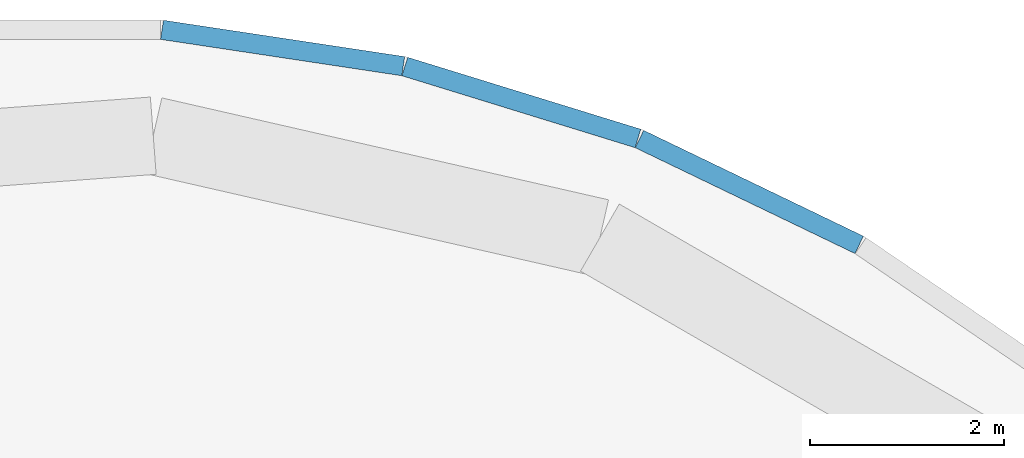
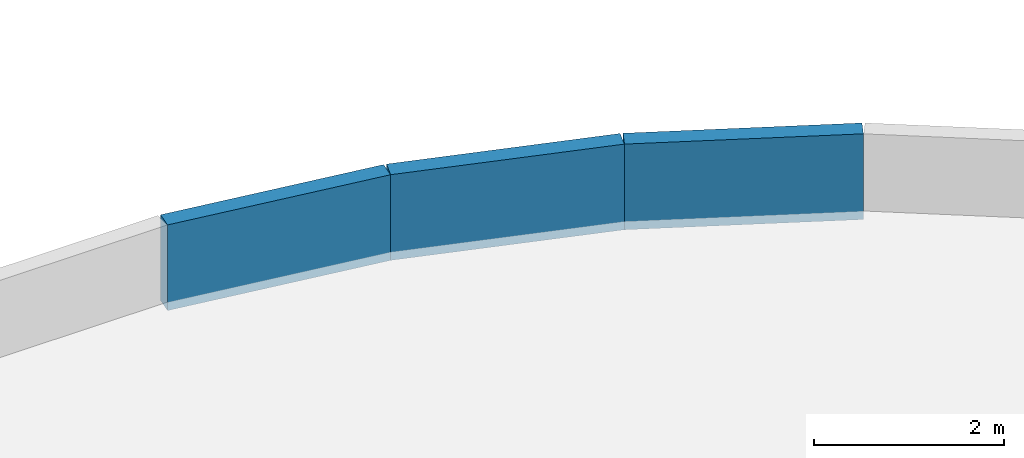
# One storey, part 8 of 9: 3 walls.
"""IFC4 building model written with IfcOpenShell, lengths in metres."""

from ifc_helpers import new_model, si_unit, direction, frame, frame_2d, origin, place, context, subcontext, project, spatial, rectangle, extrude, material, layer, layer_set, type_object, element, save


model = new_model("IFC4")

# Units and contexts
model_context = context("Model", 3, precision=1e-05, world=origin(), true_north=direction((0.0, 1.0)))
body_context = subcontext(model_context, "Body", "Model", "MODEL_VIEW")
ifc_project = project(units=[si_unit("LENGTHUNIT", "METRE"), si_unit("AREAUNIT", "SQUARE_METRE"), si_unit("VOLUMEUNIT", "CUBIC_METRE"), si_unit("PLANEANGLEUNIT", "RADIAN"), si_unit("MASSUNIT", "GRAM", prefix="KILO")], contexts=[model_context])

# Site, building, storey
site_placement = place(None, origin())
site = spatial("IfcSite", under=ifc_project, at=site_placement, CompositionType="ELEMENT")
building_placement = place(site_placement, origin())
building = spatial("IfcBuilding", under=site, at=building_placement, Name="Tracery Tower", CompositionType="ELEMENT")
storey_placement = place(building_placement, frame((0.0, 0.0, 364.199951171875)))
storey = spatial("IfcBuildingStorey", under=building, at=storey_placement, Name="Roof", CompositionType="ELEMENT", Elevation=364.199951171875)

# Walls
ifc_material = material(Name="Precast concrete C50/60", Category="concrete")
ifc_layer = layer(ifc_material, 0.199951171875)
ifc_layer_set = layer_set([ifc_layer], Name="Roof parapet 200")
wall_type = type_object("IfcWallType", Name="Roof parapet 200", PredefinedType="PARAPET", material=ifc_layer_set)
wall_placement = place(storey_placement, frame((8.478271484375, 14.701904296875, 0.0), z_axis=(0.0, 0.0, 1.0), x_axis=(-0.900994655578, 0.433830186387, 0.0)))
element("IfcWall", 1, at=wall_placement, inside=storey, type_object=wall_type, Name="Roof parapet 8", PredefinedType="PARAPET", context=body_context, shape_type="SweptSolid", body=[
    extrude(rectangle(XDim=2.51953125, YDim=0.199951171875, at=frame_2d((1.259765625, 0.0))), origin(), (0.0, 0.0, 1.0), 1.10009765625),
])
for number, where, z_axis, x_axis, name in (
    (2, (6.1923828125, 15.80126953125, 0.0), (0.0, 0.0, 1.0), (-0.955573464233, 0.294753039769, 0.0), "Roof parapet 9"),
    (3, (3.768310546875, 16.547607421875, 0.0), (0.0, 0.0, 1.0), (-0.98883520928, 0.149013183605, 0.0), "Roof parapet 10"),
):
    element("IfcWall", number, at=place(storey_placement, frame(where, z_axis=z_axis, x_axis=x_axis)), inside=storey, type_object=wall_type, Name=name, PredefinedType="PARAPET", context=body_context, shape_type="SweptSolid", body=[
        extrude(rectangle(XDim=2.519775390625, YDim=0.199951171875, at=frame_2d((1.259765625, 0.0))), origin(), (0.0, 0.0, 1.0), 1.10009765625),
    ])

save(model, "model.ifc")
